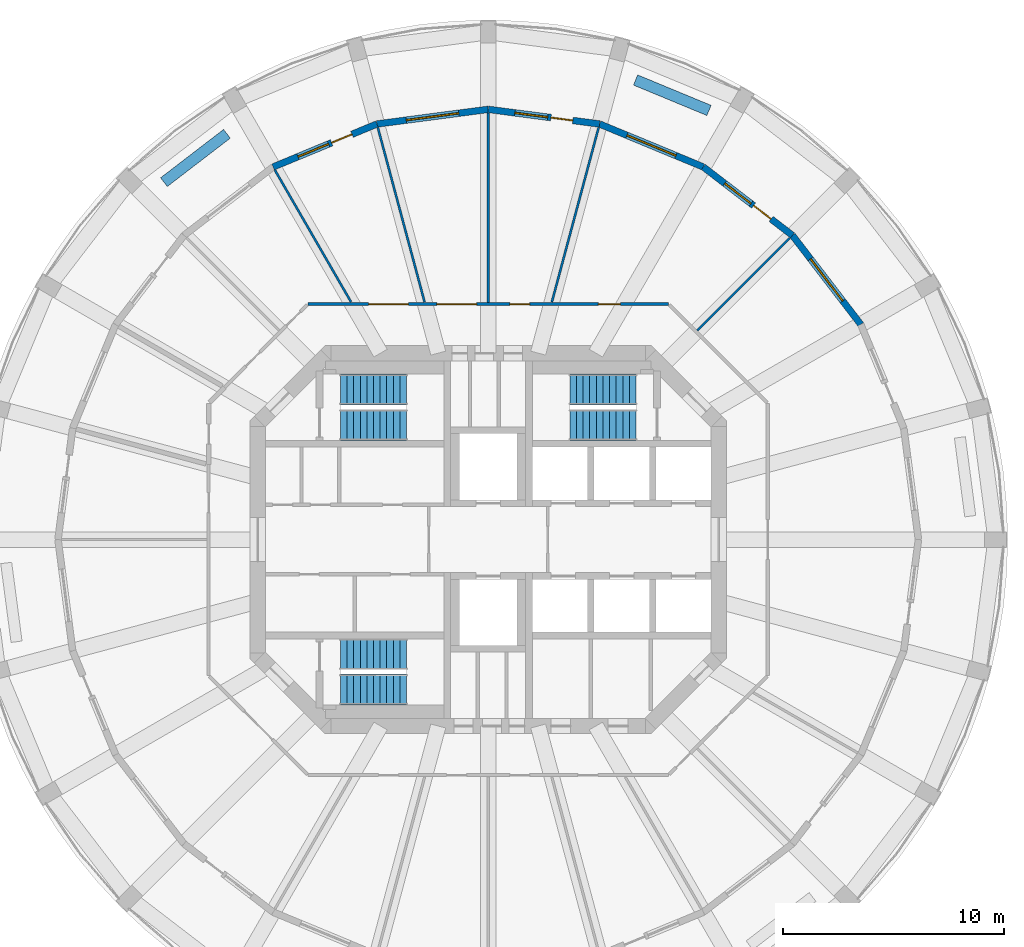
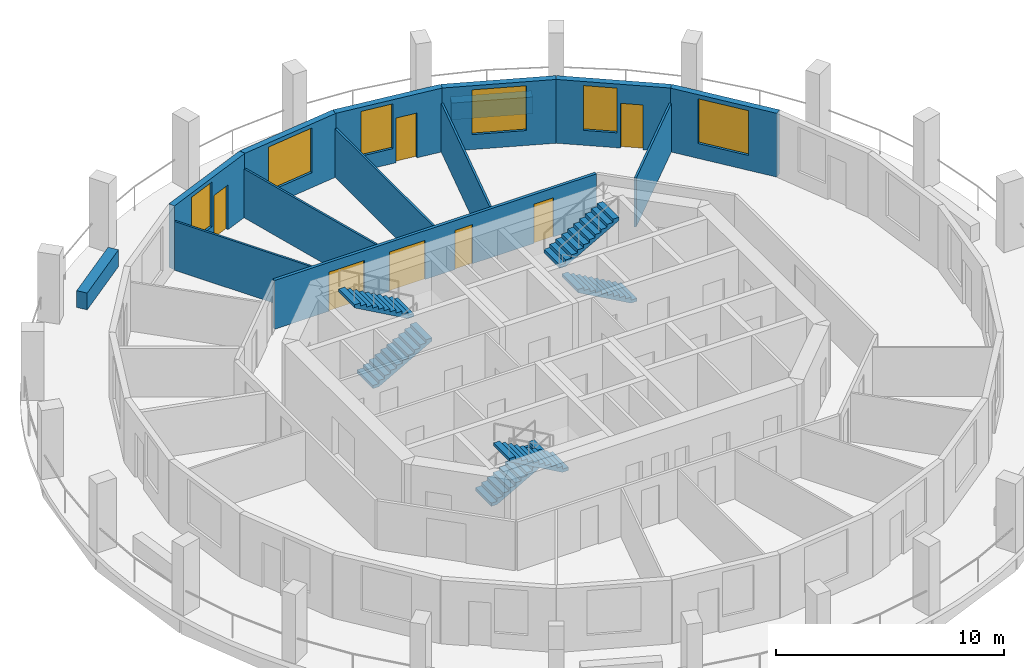
# One storey, part 6 of 8: 14 walls, 7 doors, 6 stair flights, 6 windows, 13 openings, 3 elements without a shape of their own.
"""IFC4 building model written with IfcOpenShell, lengths in metres."""

from ifc_helpers import new_model, si_unit, direction, frame, frame_2d, origin, place, context, subcontext, project, spatial, polyline, rectangle, outline, extrude, material, layer, layer_set, type_object, element, fill, aggregate, save


model = new_model("IFC4")

# Units and contexts
model_context = context("Model", 3, precision=1e-05, world=origin(), true_north=direction((0.0, 1.0)))
body_context = subcontext(model_context, "Body", "Model", "MODEL_VIEW")
ifc_project = project(units=[si_unit("LENGTHUNIT", "METRE"), si_unit("AREAUNIT", "SQUARE_METRE"), si_unit("VOLUMEUNIT", "CUBIC_METRE"), si_unit("PLANEANGLEUNIT", "RADIAN"), si_unit("MASSUNIT", "GRAM", prefix="KILO")], contexts=[model_context])

# Site, building, storey
site_placement = place(None, origin())
site = spatial("IfcSite", under=ifc_project, at=site_placement, CompositionType="ELEMENT")
building_placement = place(site_placement, origin())
building = spatial("IfcBuilding", under=site, at=building_placement, Name="Torre Triforio", CompositionType="ELEMENT")
storey_placement = place(building_placement, frame((0.0, 0.0, 203.89990234375)))
storey = spatial("IfcBuildingStorey", under=building, at=storey_placement, Name="L46", CompositionType="ELEMENT", Elevation=203.89990234375)

# Wall, openings, doors
ifc_material_1 = material(Name="Plasterboard on metal studs")
ifc_layer_1 = layer(ifc_material_1, 0.14990234375)
ifc_layer_set_1 = layer_set([ifc_layer_1], Name="Plasterboard on metal studs")
wall_type_1 = type_object("IfcWallType", Name="Corridor and tenancy wall 150 mm EI 60", PredefinedType="PARTITIONING", material=ifc_layer_set_1)
wall_1_placement = place(storey_placement, frame((-8.16650390625, 10.675048828125, 0.0), z_axis=(0.0, 0.0, 1.0), x_axis=(1.0, 0.0, 0.0)))
wall_1 = element("IfcWall", 1, at=wall_1_placement, inside=storey, type_object=wall_type_1, Name="Partition 8", PredefinedType="PARTITIONING", context=body_context, shape_type="SweptSolid", body=[
    extrude(rectangle(XDim=16.3330078125, YDim=0.14990234375, at=frame_2d((8.16650390625, 0.0))), origin(), (0.0, 0.0, 1.0), 2.6201171875),
])
opening_1_placement = place(wall_1_placement, frame((13.155029296875, 0.0, 0.0)))
opening_1 = element("IfcOpeningElement", 2, at=opening_1_placement, cuts=wall_1, Name="Opening O5-09", PredefinedType="OPENING", context=body_context, shape_type="SweptSolid", body=[
    extrude(rectangle(XDim=1.0, YDim=2.10009765625, at=frame_2d((0.5, 1.050048828125))), frame((0.0, 0.0849609375, 0.0), z_axis=(0.0, -1.0, 0.0), x_axis=(1.0, 0.0, 0.0)), (0.0, 0.0, 1.0), 0.169921875),
])
opening_2_placement = place(wall_1_placement, frame((9.147705078125, 0.0, 0.0)))
opening_2 = element("IfcOpeningElement", 3, at=opening_2_placement, cuts=wall_1, Name="Opening O5-10", PredefinedType="OPENING", context=body_context, shape_type="SweptSolid", body=[
    extrude(rectangle(XDim=0.89990234375, YDim=2.10009765625, at=frame_2d((0.449951171875, 1.050048828125))), frame((0.0, 0.0849609375, 0.0), z_axis=(0.0, -1.0, 0.0), x_axis=(1.0, 0.0, 0.0)), (0.0, 0.0, 1.0), 0.169921875),
])
opening_3_placement = place(wall_1_placement, frame((5.83544921875, 0.0, 0.0)))
opening_3 = element("IfcOpeningElement", 4, at=opening_3_placement, cuts=wall_1, Name="Opening O5-11", PredefinedType="OPENING", context=body_context, shape_type="SweptSolid", body=[
    extrude(rectangle(XDim=1.800048828125, YDim=2.10009765625, at=frame_2d((0.89990234375, 1.050048828125))), frame((0.0, 0.0849609375, 0.0), z_axis=(0.0, -1.0, 0.0), x_axis=(1.0, 0.0, 0.0)), (0.0, 0.0, 1.0), 0.169921875),
])
opening_4_placement = place(wall_1_placement, frame((2.7509765625, 0.0, 0.0)))
opening_4 = element("IfcOpeningElement", 5, at=opening_4_placement, cuts=wall_1, Name="Opening O5-12", PredefinedType="OPENING", context=body_context, shape_type="SweptSolid", body=[
    extrude(rectangle(XDim=1.800048828125, YDim=2.10009765625, at=frame_2d((0.89990234375, 1.050048828125))), frame((0.0, 0.0849609375, 0.0), z_axis=(0.0, -1.0, 0.0), x_axis=(1.0, 0.0, 0.0)), (0.0, 0.0, 1.0), 0.169921875),
])
ifc_material_2 = material(Name="Timber", Category="wood")
door_type_1 = type_object("IfcDoorType", Name="Door 1000 x 2100 single leaf EI 30", OperationType="NOTDEFINED", PredefinedType="DOOR", material=ifc_material_2)
door_1_placement = place(opening_1_placement, origin())
door_1 = element("IfcDoor", 6, at=door_1_placement, inside=storey, type_object=door_type_1, Name="Door O5-09", OperationType="SINGLE_SWING_RIGHT", OverallHeight=2.10009765625, OverallWidth=1.0, PredefinedType="DOOR", context=body_context, shape_type="SweptSolid", body=[
    extrude(rectangle(XDim=1.0, YDim=2.10009765625, at=frame_2d((0.5, 1.050048828125))), frame((0.0, 0.02490234375, 0.0), z_axis=(0.0, -1.0, 0.0), x_axis=(1.0, 0.0, 0.0)), (0.0, 0.0, 1.0), 0.050048828125),
])
fill(opening_1, door_1)
door_type_2 = type_object("IfcDoorType", Name="Door 1800 x 2100 double leaf EI 30", OperationType="DOUBLE_DOOR_SINGLE_SWING", PredefinedType="DOOR", material=ifc_material_2)
door_2_placement = place(opening_3_placement, origin())
door_2 = element("IfcDoor", 7, at=door_2_placement, inside=storey, type_object=door_type_2, Name="Door O5-11", OperationType="DOUBLE_DOOR_SINGLE_SWING", OverallHeight=2.10009765625, OverallWidth=1.800048828125, PredefinedType="DOOR", context=body_context, shape_type="SweptSolid", body=[
    extrude(rectangle(XDim=1.800048828125, YDim=2.10009765625, at=frame_2d((0.89990234375, 1.050048828125))), frame((0.0, 0.02490234375, 0.0), z_axis=(0.0, -1.0, 0.0), x_axis=(1.0, 0.0, 0.0)), (0.0, 0.0, 1.0), 0.050048828125),
])
fill(opening_3, door_2)
door_3_placement = place(opening_4_placement, origin())
door_3 = element("IfcDoor", 8, at=door_3_placement, inside=storey, type_object=door_type_2, Name="Door O5-12", OperationType="DOUBLE_DOOR_SINGLE_SWING", OverallHeight=2.10009765625, OverallWidth=1.800048828125, PredefinedType="DOOR", context=body_context, shape_type="SweptSolid", body=[
    extrude(rectangle(XDim=1.800048828125, YDim=2.10009765625, at=frame_2d((0.89990234375, 1.050048828125))), frame((0.0, 0.02490234375, 0.0), z_axis=(0.0, -1.0, 0.0), x_axis=(1.0, 0.0, 0.0)), (0.0, 0.0, 1.0), 0.050048828125),
])
fill(opening_4, door_3)
door_type_3 = type_object("IfcDoorType", Name="Door 900 x 2100 single leaf EI 30", OperationType="NOTDEFINED", PredefinedType="DOOR", material=ifc_material_2)
door_4_placement = place(opening_2_placement, origin())
door_4 = element("IfcDoor", 9, at=door_4_placement, inside=storey, type_object=door_type_3, Name="Door O5-10", OperationType="SINGLE_SWING_LEFT", OverallHeight=2.10009765625, OverallWidth=0.89990234375, PredefinedType="DOOR", context=body_context, shape_type="SweptSolid", body=[
    extrude(rectangle(XDim=0.89990234375, YDim=2.10009765625, at=frame_2d((0.449951171875, 1.050048828125))), frame((0.0, 0.02490234375, 0.0), z_axis=(0.0, -1.0, 0.0), x_axis=(1.0, 0.0, 0.0)), (0.0, 0.0, 1.0), 0.050048828125),
])
fill(opening_2, door_4)

# Walls
ifc_layer_2 = layer(ifc_material_1, 0.10009765625)
ifc_layer_set_2 = layer_set([ifc_layer_2], Name="Plasterboard on metal studs")
wall_type_2 = type_object("IfcWallType", Name="Partition 100 mm board on metal studs", PredefinedType="PARTITIONING", material=ifc_layer_set_2)
wall_2_placement = place(storey_placement, frame((9.473876953125, 9.473876953125, 0.0), z_axis=(0.0, 0.0, 1.0), x_axis=(0.707106781187, 0.707106781187, 0.0)))
element("IfcWall", 10, at=wall_2_placement, inside=storey, type_object=wall_type_2, Name="Partition 11", PredefinedType="PARTITIONING", context=body_context, shape_type="SweptSolid", body=[
    extrude(rectangle(XDim=5.9384765625, YDim=0.10009765625, at=frame_2d((2.96923828125, 0.0))), origin(), (0.0, 0.0, 1.0), 2.6201171875),
])
wall_3_placement = place(storey_placement, frame((2.88427734375, 10.764404296875, 0.0), z_axis=(0.0, 0.0, 1.0), x_axis=(0.258818011497, 0.965926103242, 0.0)))
element("IfcWall", 11, at=wall_3_placement, inside=storey, type_object=wall_type_2, Name="Partition 12", PredefinedType="PARTITIONING", context=body_context, shape_type="SweptSolid", body=[
    extrude(rectangle(XDim=8.1923828125, YDim=0.10009765625, at=frame_2d((4.09619140625, 0.0))), origin(), (0.0, 0.0, 1.0), 2.6201171875),
])
wall_4_placement = place(storey_placement, frame((0.0, 10.75, 0.0), z_axis=(0.0, 0.0, 1.0), x_axis=(0.0, 1.0, 0.0)))
element("IfcWall", 12, at=wall_4_placement, inside=storey, type_object=wall_type_2, Name="Partition 13", PredefinedType="PARTITIONING", context=body_context, shape_type="SweptSolid", body=[
    extrude(rectangle(XDim=8.586669921875, YDim=0.10009765625, at=frame_2d((4.29345703125, 0.0))), origin(), (0.0, 0.0, 1.0), 2.6201171875),
])
wall_5_placement = place(storey_placement, frame((-2.88427734375, 10.764404296875, 0.0), z_axis=(0.0, 0.0, 1.0), x_axis=(-0.258818011497, 0.965926103242, 0.0)))
element("IfcWall", 13, at=wall_5_placement, inside=storey, type_object=wall_type_2, Name="Partition 14", PredefinedType="PARTITIONING", context=body_context, shape_type="SweptSolid", body=[
    extrude(rectangle(XDim=8.1923828125, YDim=0.10009765625, at=frame_2d((4.09619140625, 0.0))), origin(), (0.0, 0.0, 1.0), 2.6201171875),
])
wall_6_placement = place(storey_placement, frame((-6.220703125, 10.774658203125, 0.0), z_axis=(0.0, 0.0, 1.0), x_axis=(-0.500015661236, 0.866016361577, 0.0)))
element("IfcWall", 14, at=wall_6_placement, inside=storey, type_object=wall_type_2, Name="Partition 15", PredefinedType="PARTITIONING", context=body_context, shape_type="SweptSolid", body=[
    extrude(rectangle(XDim=6.895263671875, YDim=0.10009765625, at=frame_2d((3.44775390625, 0.0))), origin(), (0.0, 0.0, 1.0), 2.6201171875),
])
ifc_material_3 = material(Name="Limestone cladding", Category="masonry")
ifc_layer_3 = layer(ifc_material_3, 0.10009765625)
ifc_material_4 = material(Name="Concrete C40", Category="concrete")
ifc_layer_4 = layer(ifc_material_4, 0.39990234375)
ifc_layer_set_3 = layer_set([ifc_layer_3, ifc_layer_4], Name="Limestone cladding / Concrete C40")
wall_type_3 = type_object("IfcWallType", Name="Planter wall 500", PredefinedType="PARAPET", material=ifc_layer_set_3)
wall_7_placement = place(storey_placement, frame((10.005615234375, 19.45166015625, 0.0), z_axis=(0.0, 0.0, 1.0), x_axis=(-0.923885420167, 0.382669217998, 0.0)))
element("IfcWall", 15, at=wall_7_placement, inside=storey, type_object=wall_type_3, Name="Planter L46 bay 05", PredefinedType="PARAPET", context=body_context, shape_type="SweptSolid", body=[
    extrude(rectangle(XDim=3.60009765625, YDim=0.5, at=frame_2d((1.800048828125, 0.0))), origin(), (0.0, 0.0, 1.0), 0.900146484375),
])
wall_8_placement = place(storey_placement, frame((-11.843017578125, 18.390869140625, 0.0), z_axis=(0.0, 0.0, 1.0), x_axis=(-0.793326845617, -0.608795955984, 0.0)))
element("IfcWall", 16, at=wall_8_placement, inside=storey, type_object=wall_type_3, Name="Planter L46 bay 09", PredefinedType="PARAPET", context=body_context, shape_type="SweptSolid", body=[
    extrude(rectangle(XDim=3.599853515625, YDim=0.5, at=frame_2d((1.7998046875, 0.0))), origin(), (0.0, 0.0, 1.0), 0.900146484375),
])

# Wall, opening, window
ifc_layer_5 = layer(ifc_material_3, 0.10009765625)
ifc_layer_6 = layer(ifc_material_4, 0.199951171875)
ifc_layer_set_4 = layer_set([ifc_layer_5, ifc_layer_6], Name="Limestone cladding / Concrete C40")
wall_type_4 = type_object("IfcWallType", Name="Stone-faced composite wall 300", PredefinedType="STANDARD", material=ifc_layer_set_4)
wall_9_placement = place(storey_placement, frame((16.887451171875, 9.75, 0.0), z_axis=(0.0, 0.0, 1.0), x_axis=(-0.608757714995, 0.79335619014, 0.0)))
wall_9 = element("IfcWall", 17, at=wall_9_placement, inside=storey, type_object=wall_type_4, Name="External wall L46 bay 03", PredefinedType="STANDARD", context=body_context, shape_type="SweptSolid", body=[
    extrude(rectangle(XDim=5.090576171875, YDim=0.300048828125, at=frame_2d((2.54541015625, 0.0))), origin(), (0.0, 0.0, 1.0), 3.420166015625),
])
opening_5_placement = place(wall_9_placement, frame((1.34521484375, 0.0, 0.800048828125)))
opening_5 = element("IfcOpeningElement", 18, at=opening_5_placement, cuts=wall_9, Name="Opening O5-W03", PredefinedType="OPENING", context=body_context, shape_type="SweptSolid", body=[
    extrude(rectangle(XDim=2.39990234375, YDim=2.39990234375, at=frame_2d((1.199951171875, 1.199951171875))), frame((0.0, 0.159912109375, 0.0), z_axis=(0.0, -1.0, 0.0), x_axis=(1.0, 0.0, 0.0)), (0.0, 0.0, 1.0), 0.320068359375),
])
ifc_material_5 = material(Name="Aluminium frame with clear double glazing", Category="aluminium")
window_type_1 = type_object("IfcWindowType", Name="Punched window 2400 x 2400", PartitioningType="DOUBLE_PANEL_VERTICAL", PredefinedType="WINDOW", material=ifc_material_5)
window_1_placement = place(opening_5_placement, origin())
window_1 = element("IfcWindow", 19, at=window_1_placement, inside=storey, type_object=window_type_1, Name="Window EWN4 L46 bay 03", OverallHeight=2.39990234375, OverallWidth=2.39990234375, PartitioningType="SINGLE_PANEL", PredefinedType="WINDOW", context=body_context, shape_type="SweptSolid", body=[
    extrude(rectangle(XDim=2.39990234375, YDim=2.39990234375, at=frame_2d((1.199951171875, 1.199951171875))), frame((0.0, 0.030029296875, 0.0), z_axis=(0.0, -1.0, 0.0), x_axis=(1.0, 0.0, 0.0)), (0.0, 0.0, 1.0), 0.06005859375),
])
fill(opening_5, window_1)

# Wall, openings, door, window
wall_10_placement = place(storey_placement, frame((13.78857421875, 13.78857421875, 0.0), z_axis=(0.0, 0.0, 1.0), x_axis=(-0.79335619014, 0.608757714995, 0.0)))
wall_10 = element("IfcWall", 20, at=wall_10_placement, inside=storey, type_object=wall_type_4, Name="External wall L46 bay 04", PredefinedType="STANDARD", context=body_context, shape_type="SweptSolid", body=[
    extrude(rectangle(XDim=5.090576171875, YDim=0.300048828125, at=frame_2d((2.54541015625, 0.0))), origin(), (0.0, 0.0, 1.0), 3.420166015625),
])
opening_6_placement = place(wall_10_placement, frame((1.22021484375, 0.0, 0.0)))
opening_6 = element("IfcOpeningElement", 21, at=opening_6_placement, cuts=wall_10, Name="Opening O5-D04", PredefinedType="OPENING", context=body_context, shape_type="SweptSolid", body=[
    extrude(rectangle(XDim=1.0, YDim=2.39990234375, at=frame_2d((0.5, 1.199951171875))), frame((0.0, 0.159912109375, 0.0), z_axis=(0.0, -1.0, 0.0), x_axis=(1.0, 0.0, 0.0)), (0.0, 0.0, 1.0), 0.320068359375),
])
opening_7_placement = place(wall_10_placement, frame((2.370361328125, 0.0, 0.800048828125)))
opening_7 = element("IfcOpeningElement", 22, at=opening_7_placement, cuts=wall_10, Name="Opening O5-W04A", PredefinedType="OPENING", context=body_context, shape_type="SweptSolid", body=[
    extrude(rectangle(XDim=1.5, YDim=2.39990234375, at=frame_2d((0.75, 1.199951171875))), frame((0.0, 0.159912109375, 0.0), z_axis=(0.0, -1.0, 0.0), x_axis=(1.0, 0.0, 0.0)), (0.0, 0.0, 1.0), 0.320068359375),
])
door_type_4 = type_object("IfcDoorType", Name="Loggia door 1000 x 2400", OperationType="NOTDEFINED", PredefinedType="DOOR", material=ifc_material_5)
door_5_placement = place(opening_6_placement, origin())
door_5 = element("IfcDoor", 23, at=door_5_placement, inside=storey, type_object=door_type_4, Name="Loggia door L46 bay 04", OperationType="SINGLE_SWING_LEFT", OverallHeight=2.39990234375, OverallWidth=1.0, PredefinedType="DOOR", context=body_context, shape_type="SweptSolid", body=[
    extrude(rectangle(XDim=1.0, YDim=2.39990234375, at=frame_2d((0.5, 1.199951171875))), frame((0.0, 0.02490234375, 0.0), z_axis=(0.0, -1.0, 0.0), x_axis=(1.0, 0.0, 0.0)), (0.0, 0.0, 1.0), 0.050048828125),
])
fill(opening_6, door_5)
window_type_2 = type_object("IfcWindowType", Name="Side window 1500 x 2400", PartitioningType="SINGLE_PANEL", PredefinedType="WINDOW", material=ifc_material_5)
window_2_placement = place(opening_7_placement, origin())
window_2 = element("IfcWindow", 24, at=window_2_placement, inside=storey, type_object=window_type_2, Name="Side window EWN14 L46 bay 04", OverallHeight=2.39990234375, OverallWidth=1.5, PartitioningType="SINGLE_PANEL", PredefinedType="WINDOW", context=body_context, shape_type="SweptSolid", body=[
    extrude(rectangle(XDim=1.5, YDim=2.39990234375, at=frame_2d((0.75, 1.199951171875))), frame((0.0, 0.030029296875, 0.0), z_axis=(0.0, -1.0, 0.0), x_axis=(1.0, 0.0, 0.0)), (0.0, 0.0, 1.0), 0.06005859375),
])
fill(opening_7, window_2)

# Wall, opening, window
wall_11_placement = place(storey_placement, frame((9.75, 16.887451171875, 0.0), z_axis=(0.0, 0.0, 1.0), x_axis=(-0.923862504675, 0.382724538613, 0.0)))
wall_11 = element("IfcWall", 25, at=wall_11_placement, inside=storey, type_object=wall_type_4, Name="External wall L46 bay 05", PredefinedType="STANDARD", context=body_context, shape_type="SweptSolid", body=[
    extrude(rectangle(XDim=5.090576171875, YDim=0.300048828125, at=frame_2d((2.54541015625, 0.0))), origin(), (0.0, 0.0, 1.0), 3.420166015625),
])
opening_8_placement = place(wall_11_placement, frame((1.34521484375, 0.0, 0.800048828125)))
opening_8 = element("IfcOpeningElement", 26, at=opening_8_placement, cuts=wall_11, Name="Opening O5-W05", PredefinedType="OPENING", context=body_context, shape_type="SweptSolid", body=[
    extrude(rectangle(XDim=2.39990234375, YDim=2.39990234375, at=frame_2d((1.199951171875, 1.199951171875))), frame((0.0, 0.159912109375, 0.0), z_axis=(0.0, -1.0, 0.0), x_axis=(1.0, 0.0, 0.0)), (0.0, 0.0, 1.0), 0.320068359375),
])
window_3_placement = place(opening_8_placement, origin())
window_3 = element("IfcWindow", 27, at=window_3_placement, inside=storey, type_object=window_type_1, Name="Window EWN4 L46 bay 05", OverallHeight=2.39990234375, OverallWidth=2.39990234375, PartitioningType="SINGLE_PANEL", PredefinedType="WINDOW", context=body_context, shape_type="SweptSolid", body=[
    extrude(rectangle(XDim=2.39990234375, YDim=2.39990234375, at=frame_2d((1.199951171875, 1.199951171875))), frame((0.0, 0.030029296875, 0.0), z_axis=(0.0, -1.0, 0.0), x_axis=(1.0, 0.0, 0.0)), (0.0, 0.0, 1.0), 0.06005859375),
])
fill(opening_8, window_3)

# Wall, openings, door, window
wall_12_placement = place(storey_placement, frame((5.047119140625, 18.835693359375, 0.0), z_axis=(0.0, 0.0, 1.0), x_axis=(-0.99144890792, 0.130495451964, 0.0)))
wall_12 = element("IfcWall", 28, at=wall_12_placement, inside=storey, type_object=wall_type_4, Name="External wall L46 bay 06", PredefinedType="STANDARD", context=body_context, shape_type="SweptSolid", body=[
    extrude(rectangle(XDim=5.090576171875, YDim=0.300048828125, at=frame_2d((2.54541015625, 0.0))), origin(), (0.0, 0.0, 1.0), 3.420166015625),
])
opening_9_placement = place(wall_12_placement, frame((1.22021484375, 0.0, 0.0)))
opening_9 = element("IfcOpeningElement", 29, at=opening_9_placement, cuts=wall_12, Name="Opening O5-D06", PredefinedType="OPENING", context=body_context, shape_type="SweptSolid", body=[
    extrude(rectangle(XDim=1.0, YDim=2.39990234375, at=frame_2d((0.5, 1.199951171875))), frame((0.0, 0.159912109375, 0.0), z_axis=(0.0, -1.0, 0.0), x_axis=(1.0, 0.0, 0.0)), (0.0, 0.0, 1.0), 0.320068359375),
])
opening_10_placement = place(wall_12_placement, frame((2.370361328125, 0.0, 0.800048828125)))
opening_10 = element("IfcOpeningElement", 30, at=opening_10_placement, cuts=wall_12, Name="Opening O5-W06A", PredefinedType="OPENING", context=body_context, shape_type="SweptSolid", body=[
    extrude(rectangle(XDim=1.5, YDim=2.39990234375, at=frame_2d((0.75, 1.199951171875))), frame((0.0, 0.159912109375, 0.0), z_axis=(0.0, -1.0, 0.0), x_axis=(1.0, 0.0, 0.0)), (0.0, 0.0, 1.0), 0.320068359375),
])
door_6_placement = place(opening_9_placement, origin())
door_6 = element("IfcDoor", 31, at=door_6_placement, inside=storey, type_object=door_type_4, Name="Loggia door L46 bay 06", OperationType="SINGLE_SWING_LEFT", OverallHeight=2.39990234375, OverallWidth=1.0, PredefinedType="DOOR", context=body_context, shape_type="SweptSolid", body=[
    extrude(rectangle(XDim=1.0, YDim=2.39990234375, at=frame_2d((0.5, 1.199951171875))), frame((0.0, 0.02490234375, 0.0), z_axis=(0.0, -1.0, 0.0), x_axis=(1.0, 0.0, 0.0)), (0.0, 0.0, 1.0), 0.050048828125),
])
fill(opening_9, door_6)
window_4_placement = place(opening_10_placement, origin())
window_4 = element("IfcWindow", 32, at=window_4_placement, inside=storey, type_object=window_type_2, Name="Side window EWN14 L46 bay 06", OverallHeight=2.39990234375, OverallWidth=1.5, PartitioningType="SINGLE_PANEL", PredefinedType="WINDOW", context=body_context, shape_type="SweptSolid", body=[
    extrude(rectangle(XDim=1.5, YDim=2.39990234375, at=frame_2d((0.75, 1.199951171875))), frame((0.0, 0.030029296875, 0.0), z_axis=(0.0, -1.0, 0.0), x_axis=(1.0, 0.0, 0.0)), (0.0, 0.0, 1.0), 0.06005859375),
])
fill(opening_10, window_4)

# Wall, opening, window
wall_13_placement = place(storey_placement, frame((0.0, 19.5, 0.0), z_axis=(0.0, 0.0, 1.0), x_axis=(-0.99144890792, -0.130495451964, 0.0)))
wall_13 = element("IfcWall", 33, at=wall_13_placement, inside=storey, type_object=wall_type_4, Name="External wall L46 bay 07", PredefinedType="STANDARD", context=body_context, shape_type="SweptSolid", body=[
    extrude(rectangle(XDim=5.090576171875, YDim=0.300048828125, at=frame_2d((2.54541015625, 0.0))), origin(), (0.0, 0.0, 1.0), 3.420166015625),
])
opening_11_placement = place(wall_13_placement, frame((1.34521484375, 0.0, 0.800048828125)))
opening_11 = element("IfcOpeningElement", 34, at=opening_11_placement, cuts=wall_13, Name="Opening O5-W07", PredefinedType="OPENING", context=body_context, shape_type="SweptSolid", body=[
    extrude(rectangle(XDim=2.39990234375, YDim=2.39990234375, at=frame_2d((1.199951171875, 1.199951171875))), frame((0.0, 0.159912109375, 0.0), z_axis=(0.0, -1.0, 0.0), x_axis=(1.0, 0.0, 0.0)), (0.0, 0.0, 1.0), 0.320068359375),
])
window_5_placement = place(opening_11_placement, origin())
window_5 = element("IfcWindow", 35, at=window_5_placement, inside=storey, type_object=window_type_1, Name="Window EWN4 L46 bay 07", OverallHeight=2.39990234375, OverallWidth=2.39990234375, PartitioningType="SINGLE_PANEL", PredefinedType="WINDOW", context=body_context, shape_type="SweptSolid", body=[
    extrude(rectangle(XDim=2.39990234375, YDim=2.39990234375, at=frame_2d((1.199951171875, 1.199951171875))), frame((0.0, 0.030029296875, 0.0), z_axis=(0.0, -1.0, 0.0), x_axis=(1.0, 0.0, 0.0)), (0.0, 0.0, 1.0), 0.06005859375),
])
fill(opening_11, window_5)

# Wall, openings, door, window
wall_14_placement = place(storey_placement, frame((-5.047119140625, 18.835693359375, 0.0), z_axis=(0.0, 0.0, 1.0), x_axis=(-0.923862504675, -0.382724538613, 0.0)))
wall_14 = element("IfcWall", 36, at=wall_14_placement, inside=storey, type_object=wall_type_4, Name="External wall L46 bay 08", PredefinedType="STANDARD", context=body_context, shape_type="SweptSolid", body=[
    extrude(rectangle(XDim=5.090576171875, YDim=0.300048828125, at=frame_2d((2.54541015625, 0.0))), origin(), (0.0, 0.0, 1.0), 3.420166015625),
])
opening_12_placement = place(wall_14_placement, frame((1.22021484375, 0.0, 0.0)))
opening_12 = element("IfcOpeningElement", 37, at=opening_12_placement, cuts=wall_14, Name="Opening O5-D08", PredefinedType="OPENING", context=body_context, shape_type="SweptSolid", body=[
    extrude(rectangle(XDim=1.0, YDim=2.39990234375, at=frame_2d((0.5, 1.199951171875))), frame((0.0, 0.159912109375, 0.0), z_axis=(0.0, -1.0, 0.0), x_axis=(1.0, 0.0, 0.0)), (0.0, 0.0, 1.0), 0.320068359375),
])
opening_13_placement = place(wall_14_placement, frame((2.370361328125, 0.0, 0.800048828125)))
opening_13 = element("IfcOpeningElement", 38, at=opening_13_placement, cuts=wall_14, Name="Opening O5-W08A", PredefinedType="OPENING", context=body_context, shape_type="SweptSolid", body=[
    extrude(rectangle(XDim=1.5, YDim=2.39990234375, at=frame_2d((0.75, 1.199951171875))), frame((0.0, 0.159912109375, 0.0), z_axis=(0.0, -1.0, 0.0), x_axis=(1.0, 0.0, 0.0)), (0.0, 0.0, 1.0), 0.320068359375),
])
door_7_placement = place(opening_12_placement, origin())
door_7 = element("IfcDoor", 39, at=door_7_placement, inside=storey, type_object=door_type_4, Name="Loggia door L46 bay 08", OperationType="SINGLE_SWING_LEFT", OverallHeight=2.39990234375, OverallWidth=1.0, PredefinedType="DOOR", context=body_context, shape_type="SweptSolid", body=[
    extrude(rectangle(XDim=1.0, YDim=2.39990234375, at=frame_2d((0.5, 1.199951171875))), frame((0.0, 0.02490234375, 0.0), z_axis=(0.0, -1.0, 0.0), x_axis=(1.0, 0.0, 0.0)), (0.0, 0.0, 1.0), 0.050048828125),
])
fill(opening_12, door_7)
window_6_placement = place(opening_13_placement, origin())
window_6 = element("IfcWindow", 40, at=window_6_placement, inside=storey, type_object=window_type_2, Name="Side window EWN14 L46 bay 08", OverallHeight=2.39990234375, OverallWidth=1.5, PartitioningType="SINGLE_PANEL", PredefinedType="WINDOW", context=body_context, shape_type="SweptSolid", body=[
    extrude(rectangle(XDim=1.5, YDim=2.39990234375, at=frame_2d((0.75, 1.199951171875))), frame((0.0, 0.030029296875, 0.0), z_axis=(0.0, -1.0, 0.0), x_axis=(1.0, 0.0, 0.0)), (0.0, 0.0, 1.0), 0.06005859375),
])
fill(opening_13, window_6)

# Stair, stair flights
stair_type = type_object("IfcStairType", Name="STAIR HALF-TURN", PredefinedType="HALF_TURN_STAIR", material=ifc_material_4)
stair_1_placement = place(storey_placement, origin())
stair_1 = element("IfcStair", 41, at=stair_1_placement, inside=storey, type_object=stair_type, Name="Exit stair 1", PredefinedType="HALF_TURN_STAIR")
stair_flight_type = type_object("IfcStairFlightType", Name="STAIR FLIGHT 1400", PredefinedType="STRAIGHT", material=ifc_material_4)
stair_flight_1_placement = place(storey_placement, frame((-6.699951171875, 5.199951171875, 0.0), z_axis=(0.0, 0.0, 1.0), x_axis=(1.0, 0.0, 0.0)))
stair_flight_1 = element("IfcStairFlight", 42, at=stair_flight_1_placement, type_object=stair_flight_type, Name="ST1 flight 1", NumberOfRisers=11, NumberOfTreads=10, PredefinedType="STRAIGHT", RiserHeight=0.168181818, TreadLength=0.3, context=body_context, shape_type="SweptSolid", body=[
    extrude(outline(polyline([(0.0, 0.0), (0.0, 0.168212890625), (0.300048828125, 0.168212890625), (0.300048828125, 0.33642578125), (0.60009765625, 0.33642578125), (0.60009765625, 0.504638671875), (0.89990234375, 0.504638671875), (0.89990234375, 0.672607421875), (1.199951171875, 0.672607421875), (1.199951171875, 0.8408203125), (1.5, 0.8408203125), (1.5, 1.009033203125), (1.800048828125, 1.009033203125), (1.800048828125, 1.17724609375), (2.10009765625, 1.17724609375), (2.10009765625, 1.345458984375), (2.39990234375, 1.345458984375), (2.39990234375, 1.513671875), (2.699951171875, 1.513671875), (2.699951171875, 1.681884765625), (3.0, 1.681884765625), (3.0, 1.85009765625), (3.0, 1.510009765625), (0.306640625, 0.0), (0.0, 0.0)])), frame((0.0, 0.699951171875, 0.0), z_axis=(0.0, -1.0, 0.0), x_axis=(1.0, 0.0, 0.0)), (0.0, 0.0, 1.0), 1.39990234375),
])
stair_flight_2_placement = place(storey_placement, frame((-3.699951171875, 6.800048828125, 1.85009765625), z_axis=(0.0, 0.0, 1.0), x_axis=(-1.0, 0.0, 0.0)))
stair_flight_2 = element("IfcStairFlight", 43, at=stair_flight_2_placement, type_object=stair_flight_type, Name="ST1 flight 2", NumberOfRisers=11, NumberOfTreads=10, PredefinedType="STRAIGHT", RiserHeight=0.168181818, TreadLength=0.3, context=body_context, shape_type="SweptSolid", body=[
    extrude(outline(polyline([(0.0, 0.0), (0.0, 0.168212890625), (0.300048828125, 0.168212890625), (0.300048828125, 0.33642578125), (0.60009765625, 0.33642578125), (0.60009765625, 0.504638671875), (0.89990234375, 0.504638671875), (0.89990234375, 0.672607421875), (1.199951171875, 0.672607421875), (1.199951171875, 0.8408203125), (1.5, 0.8408203125), (1.5, 1.009033203125), (1.800048828125, 1.009033203125), (1.800048828125, 1.17724609375), (2.10009765625, 1.17724609375), (2.10009765625, 1.345458984375), (2.39990234375, 1.345458984375), (2.39990234375, 1.513671875), (2.699951171875, 1.513671875), (2.699951171875, 1.681884765625), (3.0, 1.681884765625), (3.0, 1.85009765625), (3.0, 1.510009765625), (0.306640625, 0.0), (0.0, 0.0)])), frame((0.0, 0.699951171875, 0.0), z_axis=(0.0, -1.0, 0.0), x_axis=(1.0, 0.0, 0.0)), (0.0, 0.0, 1.0), 1.39990234375),
])
aggregate(stair_1, [stair_flight_1, stair_flight_2])

stair_2_placement = place(storey_placement, origin())
stair_2 = element("IfcStair", 44, at=stair_2_placement, inside=storey, type_object=stair_type, Name="Exit stair 2", PredefinedType="HALF_TURN_STAIR")
stair_flight_3_placement = place(storey_placement, frame((6.699951171875, 5.199951171875, 0.0), z_axis=(0.0, 0.0, 1.0), x_axis=(-1.0, 0.0, 0.0)))
stair_flight_3 = element("IfcStairFlight", 45, at=stair_flight_3_placement, type_object=stair_flight_type, Name="ST2 flight 1", NumberOfRisers=11, NumberOfTreads=10, PredefinedType="STRAIGHT", RiserHeight=0.168181818, TreadLength=0.3, context=body_context, shape_type="SweptSolid", body=[
    extrude(outline(polyline([(0.0, 0.0), (0.0, 0.168212890625), (0.300048828125, 0.168212890625), (0.300048828125, 0.33642578125), (0.60009765625, 0.33642578125), (0.60009765625, 0.504638671875), (0.89990234375, 0.504638671875), (0.89990234375, 0.672607421875), (1.199951171875, 0.672607421875), (1.199951171875, 0.8408203125), (1.5, 0.8408203125), (1.5, 1.009033203125), (1.800048828125, 1.009033203125), (1.800048828125, 1.17724609375), (2.10009765625, 1.17724609375), (2.10009765625, 1.345458984375), (2.39990234375, 1.345458984375), (2.39990234375, 1.513671875), (2.699951171875, 1.513671875), (2.699951171875, 1.681884765625), (3.0, 1.681884765625), (3.0, 1.85009765625), (3.0, 1.510009765625), (0.306640625, 0.0), (0.0, 0.0)])), frame((0.0, 0.699951171875, 0.0), z_axis=(0.0, -1.0, 0.0), x_axis=(1.0, 0.0, 0.0)), (0.0, 0.0, 1.0), 1.39990234375),
])
stair_flight_4_placement = place(storey_placement, frame((3.699951171875, 6.800048828125, 1.85009765625), z_axis=(0.0, 0.0, 1.0), x_axis=(1.0, 0.0, 0.0)))
stair_flight_4 = element("IfcStairFlight", 46, at=stair_flight_4_placement, type_object=stair_flight_type, Name="ST2 flight 2", NumberOfRisers=11, NumberOfTreads=10, PredefinedType="STRAIGHT", RiserHeight=0.168181818, TreadLength=0.3, context=body_context, shape_type="SweptSolid", body=[
    extrude(outline(polyline([(0.0, 0.0), (0.0, 0.168212890625), (0.300048828125, 0.168212890625), (0.300048828125, 0.33642578125), (0.60009765625, 0.33642578125), (0.60009765625, 0.504638671875), (0.89990234375, 0.504638671875), (0.89990234375, 0.672607421875), (1.199951171875, 0.672607421875), (1.199951171875, 0.8408203125), (1.5, 0.8408203125), (1.5, 1.009033203125), (1.800048828125, 1.009033203125), (1.800048828125, 1.17724609375), (2.10009765625, 1.17724609375), (2.10009765625, 1.345458984375), (2.39990234375, 1.345458984375), (2.39990234375, 1.513671875), (2.699951171875, 1.513671875), (2.699951171875, 1.681884765625), (3.0, 1.681884765625), (3.0, 1.85009765625), (3.0, 1.510009765625), (0.306640625, 0.0), (0.0, 0.0)])), frame((0.0, 0.699951171875, 0.0), z_axis=(0.0, -1.0, 0.0), x_axis=(1.0, 0.0, 0.0)), (0.0, 0.0, 1.0), 1.39990234375),
])
aggregate(stair_2, [stair_flight_3, stair_flight_4])

stair_3_placement = place(storey_placement, origin())
stair_3 = element("IfcStair", 47, at=stair_3_placement, inside=storey, type_object=stair_type, Name="Exit stair 3", PredefinedType="HALF_TURN_STAIR")
stair_flight_5_placement = place(storey_placement, frame((-6.699951171875, -5.199951171875, 0.0), z_axis=(0.0, 0.0, 1.0), x_axis=(1.0, 0.0, 0.0)))
stair_flight_5 = element("IfcStairFlight", 48, at=stair_flight_5_placement, type_object=stair_flight_type, Name="ST3 flight 1", NumberOfRisers=11, NumberOfTreads=10, PredefinedType="STRAIGHT", RiserHeight=0.168181818, TreadLength=0.3, context=body_context, shape_type="SweptSolid", body=[
    extrude(outline(polyline([(0.0, 0.0), (0.0, 0.168212890625), (0.300048828125, 0.168212890625), (0.300048828125, 0.33642578125), (0.60009765625, 0.33642578125), (0.60009765625, 0.504638671875), (0.89990234375, 0.504638671875), (0.89990234375, 0.672607421875), (1.199951171875, 0.672607421875), (1.199951171875, 0.8408203125), (1.5, 0.8408203125), (1.5, 1.009033203125), (1.800048828125, 1.009033203125), (1.800048828125, 1.17724609375), (2.10009765625, 1.17724609375), (2.10009765625, 1.345458984375), (2.39990234375, 1.345458984375), (2.39990234375, 1.513671875), (2.699951171875, 1.513671875), (2.699951171875, 1.681884765625), (3.0, 1.681884765625), (3.0, 1.85009765625), (3.0, 1.510009765625), (0.306640625, 0.0), (0.0, 0.0)])), frame((0.0, 0.699951171875, 0.0), z_axis=(0.0, -1.0, 0.0), x_axis=(1.0, 0.0, 0.0)), (0.0, 0.0, 1.0), 1.39990234375),
])
stair_flight_6_placement = place(storey_placement, frame((-3.699951171875, -6.800048828125, 1.85009765625), z_axis=(0.0, 0.0, 1.0), x_axis=(-1.0, 0.0, 0.0)))
stair_flight_6 = element("IfcStairFlight", 49, at=stair_flight_6_placement, type_object=stair_flight_type, Name="ST3 flight 2", NumberOfRisers=11, NumberOfTreads=10, PredefinedType="STRAIGHT", RiserHeight=0.168181818, TreadLength=0.3, context=body_context, shape_type="SweptSolid", body=[
    extrude(outline(polyline([(0.0, 0.0), (0.0, 0.168212890625), (0.300048828125, 0.168212890625), (0.300048828125, 0.33642578125), (0.60009765625, 0.33642578125), (0.60009765625, 0.504638671875), (0.89990234375, 0.504638671875), (0.89990234375, 0.672607421875), (1.199951171875, 0.672607421875), (1.199951171875, 0.8408203125), (1.5, 0.8408203125), (1.5, 1.009033203125), (1.800048828125, 1.009033203125), (1.800048828125, 1.17724609375), (2.10009765625, 1.17724609375), (2.10009765625, 1.345458984375), (2.39990234375, 1.345458984375), (2.39990234375, 1.513671875), (2.699951171875, 1.513671875), (2.699951171875, 1.681884765625), (3.0, 1.681884765625), (3.0, 1.85009765625), (3.0, 1.510009765625), (0.306640625, 0.0), (0.0, 0.0)])), frame((0.0, 0.699951171875, 0.0), z_axis=(0.0, -1.0, 0.0), x_axis=(1.0, 0.0, 0.0)), (0.0, 0.0, 1.0), 1.39990234375),
])
aggregate(stair_3, [stair_flight_5, stair_flight_6])

save(model, "model.ifc")
